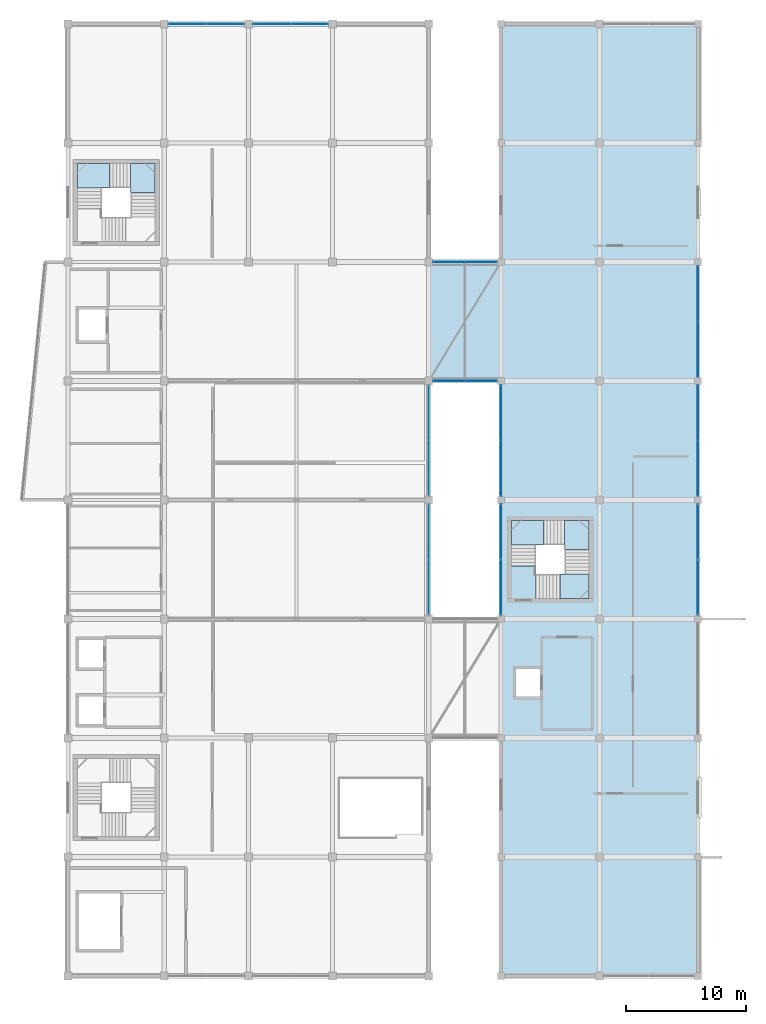
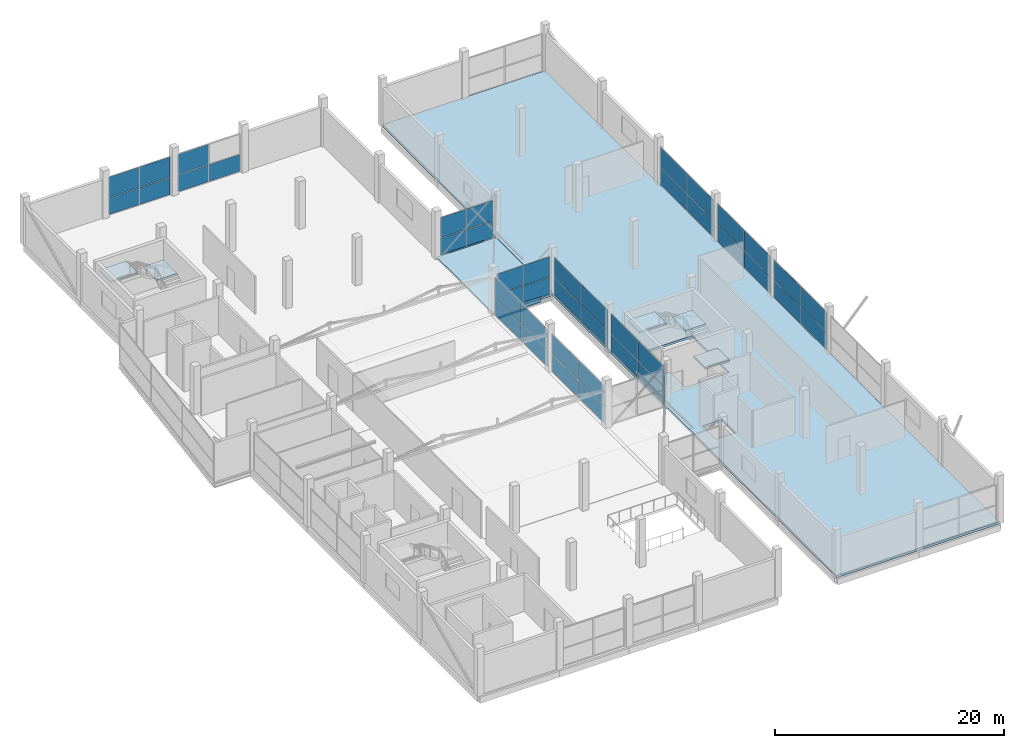
# One storey, part 44 of 58: 45 plates, 7 slabs, 13 elements without a shape of their own.
"""IFC4 building model written with IfcOpenShell, lengths in metres."""

from ifc_helpers import new_model, si_unit, direction, frame, origin, origin_2d, place, context, subcontext, project, spatial, polyline, rectangle, outline, extrude, material, layer, layer_set, type_object, element, aggregate, save


model = new_model("IFC4")

# Units and contexts
model_context = context("Model", 3, precision=1e-05, world=origin(), true_north=direction((0.0, 1.0)))
body_context = subcontext(model_context, "Body", "Model", "MODEL_VIEW")
ifc_project = project(units=[si_unit("LENGTHUNIT", "METRE"), si_unit("AREAUNIT", "SQUARE_METRE"), si_unit("VOLUMEUNIT", "CUBIC_METRE"), si_unit("PLANEANGLEUNIT", "RADIAN"), si_unit("MASSUNIT", "GRAM", prefix="KILO")], contexts=[model_context])

# Site, building, storey
site_placement = place(None, origin())
site = spatial("IfcSite", under=ifc_project, at=site_placement, CompositionType="ELEMENT")
building_placement = place(site_placement, origin())
building = spatial("IfcBuilding", under=site, at=building_placement, Name="Sillaruma Civic Art Gallery", CompositionType="ELEMENT")
storey_placement = place(building_placement, frame((0.0, 0.0, 52.02001953125)))
storey = spatial("IfcBuildingStorey", under=building, at=storey_placement, Name="L10", CompositionType="ELEMENT", Elevation=52.02001953125)

# Plates
ifc_material_1 = material(Name="Anodised Zinc-Aluminium Alloy", Category="aluminium")
ifc_layer_1 = layer(ifc_material_1, 0.044921875, Name="Anodised Zinc-Aluminium Alloy")
ifc_layer_set_1 = layer_set([ifc_layer_1], Name="Anodised Zinc-Aluminium Alloy")
plate_type_1 = type_object("IfcPlateType", Name="PLT-FAS-01", PredefinedType="USERDEFINED", material=ifc_layer_set_1)
for number, where, z_axis, x_axis, name in (
    (1, (95.0, 69.300048828125, -0.469970703125), (0.0, 0.0, 1.0), (1.0, 0.0, 0.0), "Sky-Bridge Fascia Cassette (BRG-N:L10:S)"),
    (2, (95.0, 79.199951171875, -0.469970703125), (0.0, 0.0, 1.0), (1.0, 0.0, 0.0), "Sky-Bridge Fascia Cassette (BRG-N:L10:N)"),
):
    element("IfcPlate", number, at=place(storey_placement, frame(where, z_axis=z_axis, x_axis=x_axis)), inside=storey, type_object=plate_type_1, Name=name, ObjectType="FASCIA CASSETTE", PredefinedType="USERDEFINED", context=body_context, shape_type="SweptSolid", body=[
        extrude(rectangle(XDim=3.60009765625, YDim=0.044921875, at=origin_2d()), origin(), (0.0, 0.0, 1.0), 0.580078125),
    ])

# Curtain wall, plates
ifc_material_2 = material(Name="Thermally Broken Extruded Aluminium 6063-T6", Category="aluminium")
ifc_layer_2 = layer(ifc_material_2, 0.139892578125, Name="Thermally Broken Extruded Aluminium 6063-T6")
ifc_layer_set_2 = layer_set([ifc_layer_2], Name="Thermally Broken Extruded Aluminium 6063-T6")
curtain_wall_type_1 = type_object("IfcCurtainWallType", Name="CW-UNI-71", PredefinedType="NOTDEFINED", material=ifc_layer_set_2)
curtain_wall_1_placement = place(storey_placement, origin())
curtain_wall_1 = element("IfcCurtainWall", 3, at=curtain_wall_1_placement, inside=storey, type_object=curtain_wall_type_1, Name="Unitised Curtain Wall CW-71 (CW-L10-WBE-5)", PredefinedType="NOTDEFINED")
ifc_material_3 = material(Name="Low-E UV-Filtered Laminated Insulating Glass", Category="glass")
ifc_layer_3 = layer(ifc_material_3, 0.028076171875, Name="Low-E UV-Filtered Laminated Insulating Glass")
ifc_layer_set_3 = layer_set([ifc_layer_3], Name="Low-E UV-Filtered Laminated Insulating Glass")
plate_type_2 = type_object("IfcPlateType", Name="PNL-GLZ-28", PredefinedType="CURTAIN_PANEL", material=ifc_layer_set_3)
plate_1_placement = place(storey_placement, frame((92.0, 62.052490234375, 0.06005859375), z_axis=(0.0, 0.0, 1.0), x_axis=(0.0, 1.0, 0.0)))
plate_1 = element("IfcPlate", 4, at=plate_1_placement, type_object=plate_type_2, Name="CW-71 panel 1.1", PredefinedType="CURTAIN_PANEL", context=body_context, shape_type="SweptSolid", body=[
    extrude(rectangle(XDim=4.534912109375, YDim=0.028076171875, at=origin_2d()), origin(), (0.0, 0.0, 1.0), 1.7958984375),
])
plate_2_placement = place(storey_placement, frame((92.0, 62.052490234375, 1.916015625), z_axis=(0.0, 0.0, 1.0), x_axis=(0.0, 1.0, 0.0)))
plate_2 = element("IfcPlate", 5, at=plate_2_placement, type_object=plate_type_2, Name="CW-71 panel 1.2", PredefinedType="CURTAIN_PANEL", context=body_context, shape_type="SweptSolid", body=[
    extrude(rectangle(XDim=4.534912109375, YDim=0.028076171875, at=origin_2d()), origin(), (0.0, 0.0, 1.0), 2.1240234375),
])
plate_3_placement = place(storey_placement, frame((92.0, 66.6474609375, 0.06005859375), z_axis=(0.0, 0.0, 1.0), x_axis=(0.0, 1.0, 0.0)))
plate_3 = element("IfcPlate", 6, at=plate_3_placement, type_object=plate_type_2, Name="CW-71 panel 2.1", PredefinedType="CURTAIN_PANEL", context=body_context, shape_type="SweptSolid", body=[
    extrude(rectangle(XDim=4.534912109375, YDim=0.028076171875, at=origin_2d()), origin(), (0.0, 0.0, 1.0), 1.7958984375),
])
plate_4_placement = place(storey_placement, frame((92.0, 66.6474609375, 1.916015625), z_axis=(0.0, 0.0, 1.0), x_axis=(0.0, 1.0, 0.0)))
plate_4 = element("IfcPlate", 7, at=plate_4_placement, type_object=plate_type_2, Name="CW-71 panel 2.2", PredefinedType="CURTAIN_PANEL", context=body_context, shape_type="SweptSolid", body=[
    extrude(rectangle(XDim=4.534912109375, YDim=0.028076171875, at=origin_2d()), origin(), (0.0, 0.0, 1.0), 2.1240234375),
])
aggregate(curtain_wall_1, [plate_1, plate_2, plate_3, plate_4])

# Curtain wall, plate
ifc_layer_4 = layer(ifc_material_2, 0.139892578125, Name="Thermally Broken Extruded Aluminium 6063-T6")
ifc_layer_set_4 = layer_set([ifc_layer_4], Name="Thermally Broken Extruded Aluminium 6063-T6")
curtain_wall_type_2 = type_object("IfcCurtainWallType", Name="CW-UNI-85", PredefinedType="NOTDEFINED", material=ifc_layer_set_4)
curtain_wall_2_placement = place(storey_placement, origin())
curtain_wall_2 = element("IfcCurtainWall", 8, at=curtain_wall_2_placement, inside=storey, type_object=curtain_wall_type_2, Name="Unitised Curtain Wall CW-85 (CW-BRG-N-L10-S)", PredefinedType="NOTDEFINED")
plate_5_placement = place(storey_placement, frame((96.34130859375, 69.300048828125, 0.06005859375), z_axis=(0.0, 0.0, 1.0), x_axis=(1.0, 0.0, 0.0)))
plate_5 = element("IfcPlate", 9, at=plate_5_placement, type_object=plate_type_2, Name="CW-85 panel 2.1", PredefinedType="CURTAIN_PANEL", context=body_context, shape_type="SweptSolid", body=[
    extrude(rectangle(XDim=2.597412109375, YDim=0.028076171875, at=origin_2d()), origin(), (0.0, 0.0, 1.0), 1.7958984375),
])

curtain_wall_3_placement = place(storey_placement, origin())
curtain_wall_3 = element("IfcCurtainWall", 10, at=curtain_wall_3_placement, inside=storey, type_object=curtain_wall_type_2, Name="Unitised Curtain Wall CW-85 (CW-BRG-N-L10-N)", PredefinedType="NOTDEFINED")
plate_6_placement = place(storey_placement, frame((96.34130859375, 79.199951171875, 0.06005859375), z_axis=(0.0, 0.0, 1.0), x_axis=(1.0, 0.0, 0.0)))
plate_6 = element("IfcPlate", 11, at=plate_6_placement, type_object=plate_type_2, Name="CW-85 panel 2.1", PredefinedType="CURTAIN_PANEL", context=body_context, shape_type="SweptSolid", body=[
    extrude(rectangle(XDim=2.597412109375, YDim=0.028076171875, at=origin_2d()), origin(), (0.0, 0.0, 1.0), 1.7958984375),
])

# Curtain wall, plates
ifc_layer_5 = layer(ifc_material_2, 0.159912109375, Name="Thermally Broken Extruded Aluminium 6063-T6")
ifc_layer_set_5 = layer_set([ifc_layer_5], Name="Thermally Broken Extruded Aluminium 6063-T6")
curtain_wall_type_3 = type_object("IfcCurtainWallType", Name="CW-UNI-68", PredefinedType="NOTDEFINED", material=ifc_layer_set_5)
curtain_wall_4_placement = place(storey_placement, origin())
curtain_wall_4 = element("IfcCurtainWall", 12, at=curtain_wall_4_placement, inside=storey, type_object=curtain_wall_type_3, Name="Unitised Curtain Wall CW-68 (CW-L10-WBN-2)", PredefinedType="NOTDEFINED")
ifc_layer_6 = layer(ifc_material_3, 0.030029296875, Name="Low-E UV-Filtered Laminated Insulating Glass")
ifc_layer_set_6 = layer_set([ifc_layer_6], Name="Low-E UV-Filtered Laminated Insulating Glass")
plate_type_3 = type_object("IfcPlateType", Name="PNL-GLZ-30", PredefinedType="CURTAIN_PANEL", material=ifc_layer_set_6)
plate_7_placement = place(storey_placement, frame((71.9287109375, 99.0, 0.06005859375), z_axis=(0.0, 0.0, 1.0), x_axis=(1.0, 0.0, 0.0)))
plate_7 = element("IfcPlate", 13, at=plate_7_placement, type_object=plate_type_3, Name="CW-68 panel 1.1", PredefinedType="CURTAIN_PANEL", context=body_context, shape_type="SweptSolid", body=[
    extrude(rectangle(XDim=3.077392578125, YDim=0.030029296875, at=origin_2d()), origin(), (0.0, 0.0, 1.0), 1.7958984375),
])
plate_8_placement = place(storey_placement, frame((71.9287109375, 99.0, 1.916015625), z_axis=(0.0, 0.0, 1.0), x_axis=(1.0, 0.0, 0.0)))
plate_8 = element("IfcPlate", 14, at=plate_8_placement, type_object=plate_type_3, Name="CW-68 panel 1.2", PredefinedType="CURTAIN_PANEL", context=body_context, shape_type="SweptSolid", body=[
    extrude(rectangle(XDim=3.077392578125, YDim=0.030029296875, at=origin_2d()), origin(), (0.0, 0.0, 1.0), 2.1240234375),
])
plate_9_placement = place(storey_placement, frame((75.0712890625, 99.0, 0.06005859375), z_axis=(0.0, 0.0, 1.0), x_axis=(1.0, 0.0, 0.0)))
plate_9 = element("IfcPlate", 15, at=plate_9_placement, type_object=plate_type_3, Name="CW-68 panel 2.1", PredefinedType="CURTAIN_PANEL", context=body_context, shape_type="SweptSolid", body=[
    extrude(rectangle(XDim=3.077392578125, YDim=0.030029296875, at=origin_2d()), origin(), (0.0, 0.0, 1.0), 1.7958984375),
])
plate_10_placement = place(storey_placement, frame((75.0712890625, 99.0, 1.916015625), z_axis=(0.0, 0.0, 1.0), x_axis=(1.0, 0.0, 0.0)))
plate_10 = element("IfcPlate", 16, at=plate_10_placement, type_object=plate_type_3, Name="CW-68 panel 2.2", PredefinedType="CURTAIN_PANEL", context=body_context, shape_type="SweptSolid", body=[
    extrude(rectangle(XDim=3.077392578125, YDim=0.030029296875, at=origin_2d()), origin(), (0.0, 0.0, 1.0), 2.1240234375),
])
aggregate(curtain_wall_4, [plate_7, plate_8, plate_9, plate_10])

ifc_layer_7 = layer(ifc_material_2, 0.159912109375, Name="Thermally Broken Extruded Aluminium 6063-T6")
ifc_layer_set_7 = layer_set([ifc_layer_7], Name="Thermally Broken Extruded Aluminium 6063-T6")
curtain_wall_type_4 = type_object("IfcCurtainWallType", Name="CW-UNI-81", PredefinedType="NOTDEFINED", material=ifc_layer_set_7)
curtain_wall_5_placement = place(storey_placement, origin())
curtain_wall_5 = element("IfcCurtainWall", 17, at=curtain_wall_5_placement, inside=storey, type_object=curtain_wall_type_4, Name="Unitised Curtain Wall CW-81 (CW-L10-EBE-5)", PredefinedType="NOTDEFINED")
plate_11_placement = place(storey_placement, frame((114.39990234375, 62.041259765625, 0.06005859375), z_axis=(0.0, 0.0, 1.0), x_axis=(0.0, 1.0, 0.0)))
plate_11 = element("IfcPlate", 18, at=plate_11_placement, type_object=plate_type_3, Name="CW-81 panel 1.1", PredefinedType="CURTAIN_PANEL", context=body_context, shape_type="SweptSolid", body=[
    extrude(rectangle(XDim=4.552490234375, YDim=0.030029296875, at=origin_2d()), origin(), (0.0, 0.0, 1.0), 1.7958984375),
])
plate_12_placement = place(storey_placement, frame((114.39990234375, 62.041259765625, 1.916015625), z_axis=(0.0, 0.0, 1.0), x_axis=(0.0, 1.0, 0.0)))
plate_12 = element("IfcPlate", 19, at=plate_12_placement, type_object=plate_type_3, Name="CW-81 panel 1.2", PredefinedType="CURTAIN_PANEL", context=body_context, shape_type="SweptSolid", body=[
    extrude(rectangle(XDim=4.552490234375, YDim=0.030029296875, at=origin_2d()), origin(), (0.0, 0.0, 1.0), 2.1240234375),
])
plate_13_placement = place(storey_placement, frame((114.39990234375, 66.65869140625, 0.06005859375), z_axis=(0.0, 0.0, 1.0), x_axis=(0.0, 1.0, 0.0)))
plate_13 = element("IfcPlate", 20, at=plate_13_placement, type_object=plate_type_3, Name="CW-81 panel 2.1", PredefinedType="CURTAIN_PANEL", context=body_context, shape_type="SweptSolid", body=[
    extrude(rectangle(XDim=4.552490234375, YDim=0.030029296875, at=origin_2d()), origin(), (0.0, 0.0, 1.0), 1.7958984375),
])
plate_14_placement = place(storey_placement, frame((114.39990234375, 66.65869140625, 1.916015625), z_axis=(0.0, 0.0, 1.0), x_axis=(0.0, 1.0, 0.0)))
plate_14 = element("IfcPlate", 21, at=plate_14_placement, type_object=plate_type_3, Name="CW-81 panel 2.2", PredefinedType="CURTAIN_PANEL", context=body_context, shape_type="SweptSolid", body=[
    extrude(rectangle(XDim=4.552490234375, YDim=0.030029296875, at=origin_2d()), origin(), (0.0, 0.0, 1.0), 2.1240234375),
])
aggregate(curtain_wall_5, [plate_11, plate_12, plate_13, plate_14])

ifc_layer_8 = layer(ifc_material_2, 0.159912109375, Name="Thermally Broken Extruded Aluminium 6063-T6")
ifc_layer_set_8 = layer_set([ifc_layer_8], Name="Thermally Broken Extruded Aluminium 6063-T6")
curtain_wall_type_5 = type_object("IfcCurtainWallType", Name="CW-UNI-69", PredefinedType="NOTDEFINED", material=ifc_layer_set_8)
curtain_wall_6_placement = place(storey_placement, origin())
curtain_wall_6 = element("IfcCurtainWall", 22, at=curtain_wall_6_placement, inside=storey, type_object=curtain_wall_type_5, Name="Unitised Curtain Wall CW-69 (CW-L10-WBE-4)", PredefinedType="NOTDEFINED")
ifc_layer_9 = layer(ifc_material_3, 0.031982421875, Name="Low-E UV-Filtered Laminated Insulating Glass")
ifc_layer_set_9 = layer_set([ifc_layer_9], Name="Low-E UV-Filtered Laminated Insulating Glass")
plate_type_4 = type_object("IfcPlateType", Name="PNL-GLZ-32", PredefinedType="CURTAIN_PANEL", material=ifc_layer_set_9)
plate_15_placement = place(storey_placement, frame((92.0, 52.15380859375, 0.06494140625), z_axis=(0.0, 0.0, 1.0), x_axis=(0.0, 1.0, 0.0)))
plate_15 = element("IfcPlate", 23, at=plate_15_placement, type_object=plate_type_4, Name="CW-69 panel 1.1", PredefinedType="CURTAIN_PANEL", context=body_context, shape_type="SweptSolid", body=[
    extrude(rectangle(XDim=4.527587890625, YDim=0.031982421875, at=origin_2d()), origin(), (0.0, 0.0, 1.0), 1.78857421875),
])
plate_16_placement = place(storey_placement, frame((92.0, 52.15380859375, 1.91845703125), z_axis=(0.0, 0.0, 1.0), x_axis=(0.0, 1.0, 0.0)))
plate_16 = element("IfcPlate", 24, at=plate_16_placement, type_object=plate_type_4, Name="CW-69 panel 1.2", PredefinedType="CURTAIN_PANEL", context=body_context, shape_type="SweptSolid", body=[
    extrude(rectangle(XDim=4.527587890625, YDim=0.031982421875, at=origin_2d()), origin(), (0.0, 0.0, 1.0), 2.116455078125),
])
plate_17_placement = place(storey_placement, frame((92.0, 56.746337890625, 0.06494140625), z_axis=(0.0, 0.0, 1.0), x_axis=(0.0, 1.0, 0.0)))
plate_17 = element("IfcPlate", 25, at=plate_17_placement, type_object=plate_type_4, Name="CW-69 panel 2.1", PredefinedType="CURTAIN_PANEL", context=body_context, shape_type="SweptSolid", body=[
    extrude(rectangle(XDim=4.527587890625, YDim=0.031982421875, at=origin_2d()), origin(), (0.0, 0.0, 1.0), 1.78857421875),
])
plate_18_placement = place(storey_placement, frame((92.0, 56.746337890625, 1.91845703125), z_axis=(0.0, 0.0, 1.0), x_axis=(0.0, 1.0, 0.0)))
plate_18 = element("IfcPlate", 26, at=plate_18_placement, type_object=plate_type_4, Name="CW-69 panel 2.2", PredefinedType="CURTAIN_PANEL", context=body_context, shape_type="SweptSolid", body=[
    extrude(rectangle(XDim=4.527587890625, YDim=0.031982421875, at=origin_2d()), origin(), (0.0, 0.0, 1.0), 2.116455078125),
])
aggregate(curtain_wall_6, [plate_15, plate_16, plate_17, plate_18])

ifc_layer_10 = layer(ifc_material_2, 0.159912109375, Name="Thermally Broken Extruded Aluminium 6063-T6")
ifc_layer_set_10 = layer_set([ifc_layer_10], Name="Thermally Broken Extruded Aluminium 6063-T6")
curtain_wall_type_6 = type_object("IfcCurtainWallType", Name="CW-UNI-80", PredefinedType="NOTDEFINED", material=ifc_layer_set_10)
curtain_wall_7_placement = place(storey_placement, origin())
curtain_wall_7 = element("IfcCurtainWall", 27, at=curtain_wall_7_placement, inside=storey, type_object=curtain_wall_type_6, Name="Unitised Curtain Wall CW-80 (CW-L10-EBW-5)", PredefinedType="NOTDEFINED")
plate_19_placement = place(storey_placement, frame((98.0, 62.041259765625, 0.06494140625), z_axis=(0.0, 0.0, 1.0), x_axis=(0.0, 1.0, 0.0)))
plate_19 = element("IfcPlate", 28, at=plate_19_placement, type_object=plate_type_4, Name="CW-80 panel 1.1", PredefinedType="CURTAIN_PANEL", context=body_context, shape_type="SweptSolid", body=[
    extrude(rectangle(XDim=4.552490234375, YDim=0.031982421875, at=origin_2d()), origin(), (0.0, 0.0, 1.0), 1.78857421875),
])
plate_20_placement = place(storey_placement, frame((98.0, 62.041259765625, 1.91845703125), z_axis=(0.0, 0.0, 1.0), x_axis=(0.0, 1.0, 0.0)))
plate_20 = element("IfcPlate", 29, at=plate_20_placement, type_object=plate_type_4, Name="CW-80 panel 1.2", PredefinedType="CURTAIN_PANEL", context=body_context, shape_type="SweptSolid", body=[
    extrude(rectangle(XDim=4.552490234375, YDim=0.031982421875, at=origin_2d()), origin(), (0.0, 0.0, 1.0), 2.116455078125),
])
plate_21_placement = place(storey_placement, frame((98.0, 66.65869140625, 0.06494140625), z_axis=(0.0, 0.0, 1.0), x_axis=(0.0, 1.0, 0.0)))
plate_21 = element("IfcPlate", 30, at=plate_21_placement, type_object=plate_type_4, Name="CW-80 panel 2.1", PredefinedType="CURTAIN_PANEL", context=body_context, shape_type="SweptSolid", body=[
    extrude(rectangle(XDim=4.552490234375, YDim=0.031982421875, at=origin_2d()), origin(), (0.0, 0.0, 1.0), 1.78857421875),
])
plate_22_placement = place(storey_placement, frame((98.0, 66.65869140625, 1.91845703125), z_axis=(0.0, 0.0, 1.0), x_axis=(0.0, 1.0, 0.0)))
plate_22 = element("IfcPlate", 31, at=plate_22_placement, type_object=plate_type_4, Name="CW-80 panel 2.2", PredefinedType="CURTAIN_PANEL", context=body_context, shape_type="SweptSolid", body=[
    extrude(rectangle(XDim=4.552490234375, YDim=0.031982421875, at=origin_2d()), origin(), (0.0, 0.0, 1.0), 2.116455078125),
])
aggregate(curtain_wall_7, [plate_19, plate_20, plate_21, plate_22])

ifc_layer_11 = layer(ifc_material_2, 0.139892578125, Name="Thermally Broken Extruded Aluminium 6063-T6")
ifc_layer_set_11 = layer_set([ifc_layer_11], Name="Thermally Broken Extruded Aluminium 6063-T6")
curtain_wall_type_7 = type_object("IfcCurtainWallType", Name="CW-UNI-76", PredefinedType="NOTDEFINED", material=ifc_layer_set_11)
curtain_wall_8_placement = place(storey_placement, origin())
curtain_wall_8 = element("IfcCurtainWall", 32, at=curtain_wall_8_placement, inside=storey, type_object=curtain_wall_type_7, Name="Unitised Curtain Wall CW-76 (CW-L10-WBN-3)", PredefinedType="NOTDEFINED")
ifc_layer_12 = layer(ifc_material_3, 0.033935546875, Name="Low-E UV-Filtered Laminated Insulating Glass")
ifc_layer_set_12 = layer_set([ifc_layer_12], Name="Low-E UV-Filtered Laminated Insulating Glass")
plate_type_5 = type_object("IfcPlateType", Name="PNL-GLZ-34", PredefinedType="CURTAIN_PANEL", material=ifc_layer_set_12)
plate_23_placement = place(storey_placement, frame((78.927490234375, 99.0, 0.06494140625), z_axis=(0.0, 0.0, 1.0), x_axis=(1.0, 0.0, 0.0)))
plate_23 = element("IfcPlate", 33, at=plate_23_placement, type_object=plate_type_5, Name="CW-76 panel 1.1", PredefinedType="CURTAIN_PANEL", context=body_context, shape_type="SweptSolid", body=[
    extrude(rectangle(XDim=3.0849609375, YDim=0.033935546875, at=origin_2d()), origin(), (0.0, 0.0, 1.0), 1.78857421875),
])
plate_24_placement = place(storey_placement, frame((78.927490234375, 99.0, 1.91845703125), z_axis=(0.0, 0.0, 1.0), x_axis=(1.0, 0.0, 0.0)))
plate_24 = element("IfcPlate", 34, at=plate_24_placement, type_object=plate_type_5, Name="CW-76 panel 1.2", PredefinedType="CURTAIN_PANEL", context=body_context, shape_type="SweptSolid", body=[
    extrude(rectangle(XDim=3.0849609375, YDim=0.033935546875, at=origin_2d()), origin(), (0.0, 0.0, 1.0), 2.116455078125),
])
plate_25_placement = place(storey_placement, frame((82.072509765625, 99.0, 0.06494140625), z_axis=(0.0, 0.0, 1.0), x_axis=(1.0, 0.0, 0.0)))
plate_25 = element("IfcPlate", 35, at=plate_25_placement, type_object=plate_type_5, Name="CW-76 panel 2.1", PredefinedType="CURTAIN_PANEL", context=body_context, shape_type="SweptSolid", body=[
    extrude(rectangle(XDim=3.0849609375, YDim=0.033935546875, at=origin_2d()), origin(), (0.0, 0.0, 1.0), 1.78857421875),
])
aggregate(curtain_wall_8, [plate_23, plate_24, plate_25])

ifc_layer_13 = layer(ifc_material_2, 0.139892578125, Name="Thermally Broken Extruded Aluminium 6063-T6")
ifc_layer_set_13 = layer_set([ifc_layer_13], Name="Thermally Broken Extruded Aluminium 6063-T6")
curtain_wall_type_8 = type_object("IfcCurtainWallType", Name="CW-UNI-82", PredefinedType="NOTDEFINED", material=ifc_layer_set_13)
curtain_wall_9_placement = place(storey_placement, origin())
curtain_wall_9 = element("IfcCurtainWall", 36, at=curtain_wall_9_placement, inside=storey, type_object=curtain_wall_type_8, Name="Unitised Curtain Wall CW-82 (CW-L10-EBE-6)", PredefinedType="NOTDEFINED")
plate_26_placement = place(storey_placement, frame((114.39990234375, 71.93994140625, 0.06494140625), z_axis=(0.0, 0.0, 1.0), x_axis=(0.0, 1.0, 0.0)))
plate_26 = element("IfcPlate", 37, at=plate_26_placement, type_object=plate_type_5, Name="CW-82 panel 1.1", PredefinedType="CURTAIN_PANEL", context=body_context, shape_type="SweptSolid", body=[
    extrude(rectangle(XDim=4.56005859375, YDim=0.033935546875, at=origin_2d()), origin(), (0.0, 0.0, 1.0), 1.78857421875),
])
plate_27_placement = place(storey_placement, frame((114.39990234375, 71.93994140625, 1.91845703125), z_axis=(0.0, 0.0, 1.0), x_axis=(0.0, 1.0, 0.0)))
plate_27 = element("IfcPlate", 38, at=plate_27_placement, type_object=plate_type_5, Name="CW-82 panel 1.2", PredefinedType="CURTAIN_PANEL", context=body_context, shape_type="SweptSolid", body=[
    extrude(rectangle(XDim=4.56005859375, YDim=0.033935546875, at=origin_2d()), origin(), (0.0, 0.0, 1.0), 2.116455078125),
])
plate_28_placement = place(storey_placement, frame((114.39990234375, 76.56005859375, 0.06494140625), z_axis=(0.0, 0.0, 1.0), x_axis=(0.0, 1.0, 0.0)))
plate_28 = element("IfcPlate", 39, at=plate_28_placement, type_object=plate_type_5, Name="CW-82 panel 2.1", PredefinedType="CURTAIN_PANEL", context=body_context, shape_type="SweptSolid", body=[
    extrude(rectangle(XDim=4.56005859375, YDim=0.033935546875, at=origin_2d()), origin(), (0.0, 0.0, 1.0), 1.78857421875),
])
plate_29_placement = place(storey_placement, frame((114.39990234375, 76.56005859375, 1.91845703125), z_axis=(0.0, 0.0, 1.0), x_axis=(0.0, 1.0, 0.0)))
plate_29 = element("IfcPlate", 40, at=plate_29_placement, type_object=plate_type_5, Name="CW-82 panel 2.2", PredefinedType="CURTAIN_PANEL", context=body_context, shape_type="SweptSolid", body=[
    extrude(rectangle(XDim=4.56005859375, YDim=0.033935546875, at=origin_2d()), origin(), (0.0, 0.0, 1.0), 2.116455078125),
])
aggregate(curtain_wall_9, [plate_26, plate_27, plate_28, plate_29])

ifc_layer_14 = layer(ifc_material_2, 0.179931640625, Name="Thermally Broken Extruded Aluminium 6063-T6")
ifc_layer_set_14 = layer_set([ifc_layer_14], Name="Thermally Broken Extruded Aluminium 6063-T6")
curtain_wall_type_9 = type_object("IfcCurtainWallType", Name="CW-UNI-78", PredefinedType="NOTDEFINED", material=ifc_layer_set_14)
curtain_wall_10_placement = place(storey_placement, origin())
curtain_wall_10 = element("IfcCurtainWall", 41, at=curtain_wall_10_placement, inside=storey, type_object=curtain_wall_type_9, Name="Unitised Curtain Wall CW-78 (CW-L10-EBW-4)", PredefinedType="NOTDEFINED")
ifc_layer_15 = layer(ifc_material_3, 0.035888671875, Name="Low-E UV-Filtered Laminated Insulating Glass")
ifc_layer_set_15 = layer_set([ifc_layer_15], Name="Low-E UV-Filtered Laminated Insulating Glass")
plate_type_6 = type_object("IfcPlateType", Name="PNL-GLZ-36", PredefinedType="CURTAIN_PANEL", material=ifc_layer_set_15)
plate_30_placement = place(storey_placement, frame((98.0, 52.142578125, 0.06982421875), z_axis=(0.0, 0.0, 1.0), x_axis=(0.0, 1.0, 0.0)))
plate_30 = element("IfcPlate", 42, at=plate_30_placement, type_object=plate_type_6, Name="CW-78 panel 1.1", PredefinedType="CURTAIN_PANEL", context=body_context, shape_type="SweptSolid", body=[
    extrude(rectangle(XDim=4.544921875, YDim=0.035888671875, at=origin_2d()), origin(), (0.0, 0.0, 1.0), 1.781005859375),
])
plate_31_placement = place(storey_placement, frame((98.0, 52.142578125, 1.921142578125), z_axis=(0.0, 0.0, 1.0), x_axis=(0.0, 1.0, 0.0)))
plate_31 = element("IfcPlate", 43, at=plate_31_placement, type_object=plate_type_6, Name="CW-78 panel 1.2", PredefinedType="CURTAIN_PANEL", context=body_context, shape_type="SweptSolid", body=[
    extrude(rectangle(XDim=4.544921875, YDim=0.035888671875, at=origin_2d()), origin(), (0.0, 0.0, 1.0), 2.10888671875),
])
plate_32_placement = place(storey_placement, frame((98.0, 56.757568359375, 0.06982421875), z_axis=(0.0, 0.0, 1.0), x_axis=(0.0, 1.0, 0.0)))
plate_32 = element("IfcPlate", 44, at=plate_32_placement, type_object=plate_type_6, Name="CW-78 panel 2.1", PredefinedType="CURTAIN_PANEL", context=body_context, shape_type="SweptSolid", body=[
    extrude(rectangle(XDim=4.544921875, YDim=0.035888671875, at=origin_2d()), origin(), (0.0, 0.0, 1.0), 1.781005859375),
])
plate_33_placement = place(storey_placement, frame((98.0, 56.757568359375, 1.921142578125), z_axis=(0.0, 0.0, 1.0), x_axis=(0.0, 1.0, 0.0)))
plate_33 = element("IfcPlate", 45, at=plate_33_placement, type_object=plate_type_6, Name="CW-78 panel 2.2", PredefinedType="CURTAIN_PANEL", context=body_context, shape_type="SweptSolid", body=[
    extrude(rectangle(XDim=4.544921875, YDim=0.035888671875, at=origin_2d()), origin(), (0.0, 0.0, 1.0), 2.10888671875),
])
aggregate(curtain_wall_10, [plate_30, plate_31, plate_32, plate_33])

ifc_layer_16 = layer(ifc_material_2, 0.179931640625, Name="Thermally Broken Extruded Aluminium 6063-T6")
ifc_layer_set_16 = layer_set([ifc_layer_16], Name="Thermally Broken Extruded Aluminium 6063-T6")
curtain_wall_type_10 = type_object("IfcCurtainWallType", Name="CW-UNI-79", PredefinedType="NOTDEFINED", material=ifc_layer_set_16)
curtain_wall_11_placement = place(storey_placement, origin())
curtain_wall_11 = element("IfcCurtainWall", 46, at=curtain_wall_11_placement, inside=storey, type_object=curtain_wall_type_10, Name="Unitised Curtain Wall CW-79 (CW-L10-EBE-4)", PredefinedType="NOTDEFINED")
ifc_layer_17 = layer(ifc_material_3, 0.0400390625, Name="Low-E UV-Filtered Laminated Insulating Glass")
ifc_layer_set_17 = layer_set([ifc_layer_17], Name="Low-E UV-Filtered Laminated Insulating Glass")
plate_type_7 = type_object("IfcPlateType", Name="PNL-GLZ-40", PredefinedType="CURTAIN_PANEL", material=ifc_layer_set_17)
plate_34_placement = place(storey_placement, frame((114.39990234375, 52.142578125, 0.06494140625), z_axis=(0.0, 0.0, 1.0), x_axis=(0.0, 1.0, 0.0)))
plate_34 = element("IfcPlate", 47, at=plate_34_placement, type_object=plate_type_7, Name="CW-79 panel 1.1", PredefinedType="CURTAIN_PANEL", context=body_context, shape_type="SweptSolid", body=[
    extrude(rectangle(XDim=4.544921875, YDim=0.0400390625, at=origin_2d()), origin(), (0.0, 0.0, 1.0), 1.78857421875),
])
plate_35_placement = place(storey_placement, frame((114.39990234375, 52.142578125, 1.91845703125), z_axis=(0.0, 0.0, 1.0), x_axis=(0.0, 1.0, 0.0)))
plate_35 = element("IfcPlate", 48, at=plate_35_placement, type_object=plate_type_7, Name="CW-79 panel 1.2", PredefinedType="CURTAIN_PANEL", context=body_context, shape_type="SweptSolid", body=[
    extrude(rectangle(XDim=4.544921875, YDim=0.0400390625, at=origin_2d()), origin(), (0.0, 0.0, 1.0), 2.116455078125),
])
plate_36_placement = place(storey_placement, frame((114.39990234375, 56.757568359375, 0.06494140625), z_axis=(0.0, 0.0, 1.0), x_axis=(0.0, 1.0, 0.0)))
plate_36 = element("IfcPlate", 49, at=plate_36_placement, type_object=plate_type_7, Name="CW-79 panel 2.1", PredefinedType="CURTAIN_PANEL", context=body_context, shape_type="SweptSolid", body=[
    extrude(rectangle(XDim=4.544921875, YDim=0.0400390625, at=origin_2d()), origin(), (0.0, 0.0, 1.0), 1.78857421875),
])
plate_37_placement = place(storey_placement, frame((114.39990234375, 56.757568359375, 1.91845703125), z_axis=(0.0, 0.0, 1.0), x_axis=(0.0, 1.0, 0.0)))
plate_37 = element("IfcPlate", 50, at=plate_37_placement, type_object=plate_type_7, Name="CW-79 panel 2.2", PredefinedType="CURTAIN_PANEL", context=body_context, shape_type="SweptSolid", body=[
    extrude(rectangle(XDim=4.544921875, YDim=0.0400390625, at=origin_2d()), origin(), (0.0, 0.0, 1.0), 2.116455078125),
])
aggregate(curtain_wall_11, [plate_34, plate_35, plate_36, plate_37])

# Plate
ifc_layer_18 = layer(ifc_material_1, 0.028076171875, Name="Anodised Zinc-Aluminium Alloy")
ifc_layer_set_18 = layer_set([ifc_layer_18], Name="Anodised Zinc-Aluminium Alloy")
plate_type_8 = type_object("IfcPlateType", Name="PNL-SPD-28", PredefinedType="CURTAIN_PANEL", material=ifc_layer_set_18)
plate_38_placement = place(storey_placement, frame((93.683837890625, 69.300048828125, 0.06005859375), z_axis=(0.0, 0.0, 1.0), x_axis=(1.0, 0.0, 0.0)))
plate_38 = element("IfcPlate", 51, at=plate_38_placement, type_object=plate_type_8, Name="CW-85 panel 1.1", PredefinedType="CURTAIN_PANEL", context=body_context, shape_type="SweptSolid", body=[
    extrude(rectangle(XDim=2.597412109375, YDim=0.028076171875, at=origin_2d()), origin(), (0.0, 0.0, 1.0), 1.7958984375),
])

plate_39_placement = place(storey_placement, frame((93.683837890625, 69.300048828125, 1.916015625), z_axis=(0.0, 0.0, 1.0), x_axis=(1.0, 0.0, 0.0)))
plate_39 = element("IfcPlate", 52, at=plate_39_placement, type_object=plate_type_8, Name="CW-85 panel 1.2", PredefinedType="CURTAIN_PANEL", context=body_context, shape_type="SweptSolid", body=[
    extrude(rectangle(XDim=2.597412109375, YDim=0.028076171875, at=origin_2d()), origin(), (0.0, 0.0, 1.0), 2.1240234375),
])

plate_40_placement = place(storey_placement, frame((96.34130859375, 69.300048828125, 1.916015625), z_axis=(0.0, 0.0, 1.0), x_axis=(1.0, 0.0, 0.0)))
plate_40 = element("IfcPlate", 53, at=plate_40_placement, type_object=plate_type_8, Name="CW-85 panel 2.2", PredefinedType="CURTAIN_PANEL", context=body_context, shape_type="SweptSolid", body=[
    extrude(rectangle(XDim=2.597412109375, YDim=0.028076171875, at=origin_2d()), origin(), (0.0, 0.0, 1.0), 2.1240234375),
])

aggregate(curtain_wall_2, [plate_38, plate_39, plate_5, plate_40])

plate_41_placement = place(storey_placement, frame((93.683837890625, 79.199951171875, 0.06005859375), z_axis=(0.0, 0.0, 1.0), x_axis=(1.0, 0.0, 0.0)))
plate_41 = element("IfcPlate", 54, at=plate_41_placement, type_object=plate_type_8, Name="CW-85 panel 1.1", PredefinedType="CURTAIN_PANEL", context=body_context, shape_type="SweptSolid", body=[
    extrude(rectangle(XDim=2.597412109375, YDim=0.028076171875, at=origin_2d()), origin(), (0.0, 0.0, 1.0), 1.7958984375),
])

plate_42_placement = place(storey_placement, frame((93.683837890625, 79.199951171875, 1.916015625), z_axis=(0.0, 0.0, 1.0), x_axis=(1.0, 0.0, 0.0)))
plate_42 = element("IfcPlate", 55, at=plate_42_placement, type_object=plate_type_8, Name="CW-85 panel 1.2", PredefinedType="CURTAIN_PANEL", context=body_context, shape_type="SweptSolid", body=[
    extrude(rectangle(XDim=2.597412109375, YDim=0.028076171875, at=origin_2d()), origin(), (0.0, 0.0, 1.0), 2.1240234375),
])

plate_43_placement = place(storey_placement, frame((96.34130859375, 79.199951171875, 1.916015625), z_axis=(0.0, 0.0, 1.0), x_axis=(1.0, 0.0, 0.0)))
plate_43 = element("IfcPlate", 56, at=plate_43_placement, type_object=plate_type_8, Name="CW-85 panel 2.2", PredefinedType="CURTAIN_PANEL", context=body_context, shape_type="SweptSolid", body=[
    extrude(rectangle(XDim=2.597412109375, YDim=0.028076171875, at=origin_2d()), origin(), (0.0, 0.0, 1.0), 2.1240234375),
])

aggregate(curtain_wall_3, [plate_41, plate_42, plate_6, plate_43])

# Slabs
ifc_material_4 = material(Name="Concrete H35 (35 MPa)", Category="concrete")
ifc_layer_19 = layer(ifc_material_4, 0.2099609375, Name="Concrete H35 (35 MPa)")
ifc_layer_set_19 = layer_set([ifc_layer_19], Name="Concrete H35 (35 MPa)")
slab_type_1 = type_object("IfcSlabType", Name="SLB-FLR-210", PredefinedType="FLOOR", material=ifc_layer_set_19)
slab_1_placement = place(storey_placement, frame((0.0, 0.0, -0.2099609375)))
element("IfcSlab", 57, at=slab_1_placement, inside=storey, type_object=slab_type_1, Name="Floor Slab SF-210 (SLB-L10-BRGN)", PredefinedType="FLOOR", context=body_context, shape_type="SweptSolid", body=[
    extrude(outline(polyline([(92.0, 69.300048828125), (98.0, 69.300048828125), (98.0, 79.199951171875), (92.0, 79.199951171875), (92.0, 69.300048828125)])), origin(), (0.0, 0.0, 1.0), 0.2099609375),
])
ifc_layer_20 = layer(ifc_material_4, 0.25, Name="Concrete H35 (35 MPa)")
ifc_layer_set_20 = layer_set([ifc_layer_20], Name="Concrete H35 (35 MPa)")
slab_type_2 = type_object("IfcSlabType", Name="SLB-FLR-250", PredefinedType="FLOOR", material=ifc_layer_set_20)
slab_2_placement = place(storey_placement, frame((0.0, 0.0, -0.25)))
element("IfcSlab", 58, at=slab_2_placement, inside=storey, type_object=slab_type_2, Name="Floor Slab SF-250 (SLB-L10-EAST)", PredefinedType="FLOOR", context=body_context, shape_type="SweptSolid", body=[
    extrude(outline(polyline([(98.0, 19.800048828125), (114.39990234375, 19.800048828125), (114.39990234375, 99.0), (98.0, 99.0), (98.0, 19.800048828125)]), holes=[polyline([(100.9150390625, 51.2099609375), (105.340087890625, 51.2099609375), (105.340087890625, 57.68994140625), (98.860107421875, 57.68994140625), (98.860107421875, 53.925048828125), (100.9150390625, 53.925048828125), (100.9150390625, 51.2099609375)]), polyline([(99.25, 43.050048828125), (101.25, 43.050048828125), (101.25, 45.35009765625), (99.25, 45.35009765625), (99.25, 43.050048828125)])]), origin(), (0.0, 0.0, 1.0), 0.25),
])

# Stair, slabs
stair_type = type_object("IfcStairType", Name="STR-4F-30", PredefinedType="USERDEFINED", material=ifc_material_4)
stair_1_placement = place(storey_placement, origin())
stair_1 = element("IfcStair", 59, at=stair_1_placement, inside=storey, type_object=stair_type, Name="Protected Exit Stair ST-02 (West Bar North) (L10)", ObjectType="THREE_RETURN_STAIR", PredefinedType="USERDEFINED")
ifc_layer_21 = layer(ifc_material_4, 0.199951171875, Name="Concrete H35 (35 MPa)")
ifc_layer_set_21 = layer_set([ifc_layer_21], Name="Concrete H35 (35 MPa)")
slab_type_3 = type_object("IfcSlabType", Name="SLB-LND-200", PredefinedType="LANDING", material=ifc_layer_set_21)
slab_3_placement = place(storey_placement, frame((0.0, 0.0, 2.52001953125)))
slab_3 = element("IfcSlab", 60, at=slab_3_placement, type_object=slab_type_3, Name="ST-02 landing 2", PredefinedType="LANDING", context=body_context, shape_type="SweptSolid", body=[
    extrude(outline(polyline([(67.199951171875, 84.97998046875), (69.239990234375, 84.97998046875), (69.239990234375, 87.389892578125), (67.199951171875, 87.389892578125), (67.199951171875, 84.97998046875)])), origin(), (0.0, 0.0, 1.0), 0.199951171875),
])
slab_4_placement = place(storey_placement, frame((0.0, 0.0, 3.7099609375)))
slab_4 = element("IfcSlab", 61, at=slab_4_placement, type_object=slab_type_3, Name="ST-02 landing 3", PredefinedType="LANDING", context=body_context, shape_type="SweptSolid", body=[
    extrude(outline(polyline([(62.760009765625, 85.35009765625), (65.4599609375, 85.35009765625), (65.4599609375, 87.389892578125), (62.760009765625, 87.389892578125), (62.760009765625, 85.35009765625)])), origin(), (0.0, 0.0, 1.0), 0.199951171875),
])
aggregate(stair_1, [slab_3, slab_4])

stair_2_placement = place(storey_placement, origin())
stair_2 = element("IfcStair", 62, at=stair_2_placement, inside=storey, type_object=stair_type, Name="Protected Exit Stair ST-04 (East Bar) (L10)", ObjectType="THREE_RETURN_STAIR", PredefinedType="USERDEFINED")
slab_5_placement = place(storey_placement, frame((0.0, 0.0, 1.159912109375)))
slab_5 = element("IfcSlab", 63, at=slab_5_placement, type_object=slab_type_3, Name="ST-04 landing 1", PredefinedType="LANDING", context=body_context, shape_type="SweptSolid", body=[
    extrude(outline(polyline([(102.929931640625, 51.2099609375), (105.340087890625, 51.2099609375), (105.340087890625, 53.25), (102.929931640625, 53.25), (102.929931640625, 51.2099609375)])), origin(), (0.0, 0.0, 1.0), 0.199951171875),
])
slab_6_placement = place(storey_placement, frame((0.0, 0.0, 2.52001953125)))
slab_6 = element("IfcSlab", 64, at=slab_6_placement, type_object=slab_type_3, Name="ST-04 landing 2", PredefinedType="LANDING", context=body_context, shape_type="SweptSolid", body=[
    extrude(outline(polyline([(103.300048828125, 55.280029296875), (105.340087890625, 55.280029296875), (105.340087890625, 57.68994140625), (103.300048828125, 57.68994140625), (103.300048828125, 55.280029296875)])), origin(), (0.0, 0.0, 1.0), 0.199951171875),
])
slab_7_placement = place(storey_placement, frame((0.0, 0.0, 3.7099609375)))
slab_7 = element("IfcSlab", 65, at=slab_7_placement, type_object=slab_type_3, Name="ST-04 landing 3", PredefinedType="LANDING", context=body_context, shape_type="SweptSolid", body=[
    extrude(outline(polyline([(98.860107421875, 55.64990234375), (101.56005859375, 55.64990234375), (101.56005859375, 57.68994140625), (98.860107421875, 57.68994140625), (98.860107421875, 55.64990234375)])), origin(), (0.0, 0.0, 1.0), 0.199951171875),
])
aggregate(stair_2, [slab_5, slab_6, slab_7])

save(model, "model.ifc")
